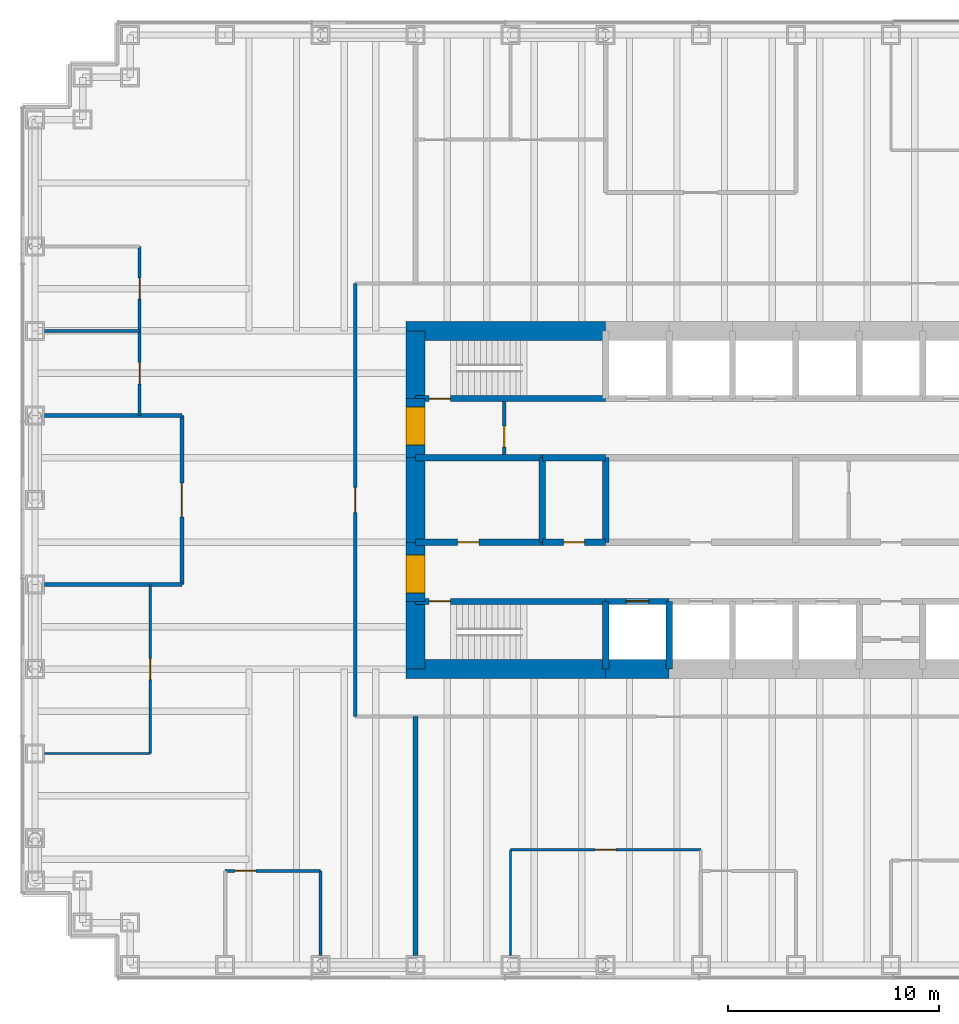
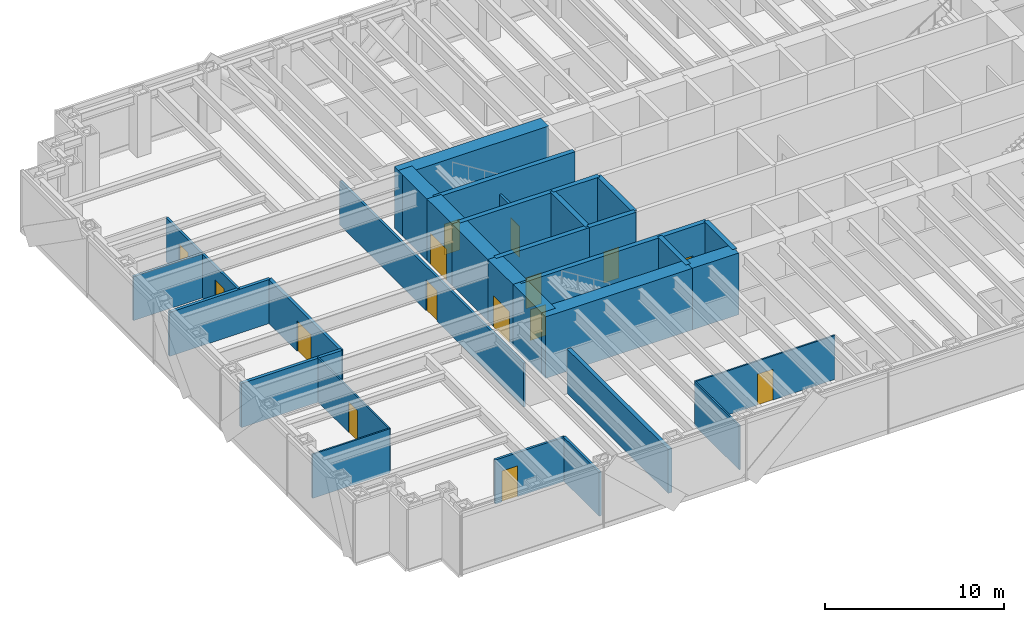
# One storey, part 11 of 15: 33 walls, 15 doors, 15 openings.
"""IFC4 building model written with IfcOpenShell, lengths in metres."""

import ifcopenshell
import ifcopenshell.guid

model = None  # the IFC model being written
_history = None  # IfcOwnerHistory: only IFC2X3 demands one
_inside = {}  # id of a spatial element -> (the spatial element, [elements in it])
_under = {}  # id of a project, library or spatial element -> (it, [spatial elements below it])
_declared = {}  # id of a project -> (the project, [libraries it declares])
_typed = {}  # id of a type object -> (the type object, [elements of that type])
_made_of = {}  # id of a material, layer set ... -> (it, [elements and type objects made of it])


def new_model(schema):
    """Start an empty IFC model of exactly this schema.

    Asked for "IFC4X3", IfcOpenShell would pick the latest addendum, in which some entities
    have other attributes; the version numbers below select the first issue.
    IFC2X3 requires an IfcOwnerHistory on every rooted entity: one is made here for all.
    """
    global model, _history
    if schema == "IFC4X3":
        model = ifcopenshell.file(schema_version=(4, 3, 0, 0))
    else:
        model = ifcopenshell.file(schema=schema)
    _inside.clear()
    _under.clear()
    _declared.clear()
    _typed.clear()
    _made_of.clear()
    _history = None
    if model.schema == "IFC2X3":
        org = make("IfcOrganization", Name="unknown")
        user = make(
            "IfcPersonAndOrganization",
            ThePerson=make("IfcPerson", FamilyName="unknown"),
            TheOrganization=org,
        )
        app = make(
            "IfcApplication",
            ApplicationDeveloper=org,
            Version="unknown",
            ApplicationFullName="unknown",
            ApplicationIdentifier="unknown",
        )
        _history = make(
            "IfcOwnerHistory",
            OwningUser=user,
            OwningApplication=app,
            ChangeAction="ADDED",
            CreationDate=0,
        )
    return model


def make(cls, **values):
    """One entity of the class cls with the attributes given. An attribute that is None is left unset."""
    return model.create_entity(
        cls, **{name: value for name, value in values.items() if value is not None}
    )


def rooted(cls, **values):
    """An entity with a GlobalId (a new one), such as an element, a storey or a relation."""
    return make(cls, GlobalId=ifcopenshell.guid.new(), OwnerHistory=_history, **values)


def si_unit(unit_type, name, prefix=None):
    """IfcSIUnit, for example si_unit("LENGTHUNIT", "METRE", prefix="MILLI")."""
    return make("IfcSIUnit", UnitType=unit_type, Prefix=prefix, Name=name)


def assignment(units):
    """IfcUnitAssignment: the units of a project."""
    return None if units is None else make("IfcUnitAssignment", Units=units)


def point(xyz):
    """IfcCartesianPoint."""
    return None if xyz is None else make("IfcCartesianPoint", Coordinates=xyz)


def direction(xyz):
    """IfcDirection."""
    return None if xyz is None else make("IfcDirection", DirectionRatios=xyz)


def frame(location, z_axis=None, x_axis=None):
    """IfcAxis2Placement3D, a coordinate frame: its origin and axes. An axis left out is left unset."""
    return make(
        "IfcAxis2Placement3D",
        Location=point(location),
        Axis=direction(z_axis),
        RefDirection=direction(x_axis),
    )


def frame_2d(location, x_axis=None):
    """IfcAxis2Placement2D, a coordinate frame in the plane: its origin and x axis."""
    return make(
        "IfcAxis2Placement2D", Location=point(location), RefDirection=direction(x_axis)
    )


def origin():
    """The frame at (0, 0, 0) with its axes left unset."""
    return frame((0.0, 0.0, 0.0))


def place(relative_to, where):
    """IfcLocalPlacement: puts the frame where relative to a parent placement (None: the world)."""
    return make(
        "IfcLocalPlacement", PlacementRelTo=relative_to, RelativePlacement=where
    )


def context(
    kind, dimensions, precision=None, world=None, true_north=None, identifier=None
):
    """IfcGeometricRepresentationContext, for example the 3D "Model" context."""
    return make(
        "IfcGeometricRepresentationContext",
        ContextIdentifier=identifier,
        ContextType=kind,
        CoordinateSpaceDimension=dimensions,
        Precision=precision,
        WorldCoordinateSystem=world,
        TrueNorth=true_north,
    )


def subcontext(parent, identifier, kind, view, scale=None):
    """IfcGeometricRepresentationSubContext, for example "Body" below "Model"."""
    return make(
        "IfcGeometricRepresentationSubContext",
        ContextIdentifier=identifier,
        ContextType=kind,
        ParentContext=parent,
        TargetScale=scale,
        TargetView=view,
    )


def project(units=None, contexts=None):
    """IfcProject with its units and contexts."""
    return rooted(
        "IfcProject",
        Name="project",
        RepresentationContexts=contexts,
        UnitsInContext=assignment(units),
    )


def spatial(cls, under=None, at=None, **own):
    """A site, building, storey or space (cls), placed at a placement, below another one or the project."""
    s = rooted(cls, ObjectPlacement=at, **own)
    if under is not None:
        _under.setdefault(under.id(), (under, []))[1].append(s)
    return s


def profile(cls, at=None, kind="AREA", **sizes):
    """A parametric profile (cls). Its sizes go by their IFC names, for example OverallWidth=200.0."""
    return make(cls, ProfileType=kind, Position=at, **sizes)


def rectangle(**sizes):
    """IfcRectangleProfileDef."""
    return profile("IfcRectangleProfileDef", **sizes)


def extrude(swept, where, along, depth):
    """IfcExtrudedAreaSolid: the profile swept, set in the frame where, extruded along a direction by depth."""
    return make(
        "IfcExtrudedAreaSolid",
        SweptArea=swept,
        Position=where,
        ExtrudedDirection=direction(along),
        Depth=depth,
    )


def shape(context_of_items, identifier, shape_type, items):
    """IfcShapeRepresentation: the items that make up one representation, for example the "Body"."""
    return make(
        "IfcShapeRepresentation",
        ContextOfItems=context_of_items,
        RepresentationIdentifier=identifier,
        RepresentationType=shape_type,
        Items=items,
    )


def material(Name=None, Category=None):
    """IfcMaterial."""
    return make("IfcMaterial", Name=Name, Category=Category)


def layer(
    of_material, thickness, ventilated=None, Name=None, Category=None, Priority=None
):
    """IfcMaterialLayer: one layer of a wall or slab, of a material (None: an air gap)."""
    return make(
        "IfcMaterialLayer",
        Material=of_material,
        LayerThickness=thickness,
        IsVentilated=ventilated,
        Name=Name,
        Category=Category,
        Priority=Priority,
    )


def layer_set(layers, Name=None):
    """IfcMaterialLayerSet."""
    return make("IfcMaterialLayerSet", MaterialLayers=layers, LayerSetName=Name)


def made_of(thing, what):
    """Note that an element or type object is made of a material, layer set ...; save() writes the relation."""
    if what is not None:
        _made_of.setdefault(what.id(), (what, []))[1].append(thing)
    return thing


def type_object(cls, material=None, **own):
    """A type object (cls), such as IfcWallType, which elements share."""
    return made_of(rooted(cls, **own), material)


def element(
    cls,
    number,
    at=None,
    inside=None,
    cuts=None,
    type_object=None,
    material=None,
    context=None,
    identifier="Body",
    shape_type=None,
    held_by="IfcProductDefinitionShape",
    body=None,
    shapes=None,
    **own,
):
    """One element of the class cls, such as IfcWall. Its Tag is "e" and its number.

    at: its placement. inside: the storey or other place that contains it. cuts: it is an
    opening in that element (IfcRelVoidsElement). A single representation is given by context,
    identifier, shape_type and body (its items); several are given by shapes. held_by: the class
    of the entity that holds the representations. save() writes the other relations.
    """
    e = rooted(cls, Tag="e%d" % number, ObjectPlacement=at, **own)
    if body is not None:
        shapes = [shape(context, identifier, shape_type, body)]
    if shapes is not None:
        e.Representation = make(held_by, Representations=shapes)
    if inside is not None:
        _inside.setdefault(inside.id(), (inside, []))[1].append(e)
    if cuts is not None:
        rooted(
            "IfcRelVoidsElement", RelatingBuildingElement=cuts, RelatedOpeningElement=e
        )
    if type_object is not None:
        _typed.setdefault(type_object.id(), (type_object, []))[1].append(e)
    return made_of(e, material)


def fill(opening, filler):
    """IfcRelFillsElement: the door or window that sits in an opening."""
    return rooted(
        "IfcRelFillsElement",
        RelatingOpeningElement=opening,
        RelatedBuildingElement=filler,
    )


def aggregate(whole, parts):
    """IfcRelAggregates: a whole, such as a stair, and the parts it consists of."""
    return rooted("IfcRelAggregates", RelatingObject=whole, RelatedObjects=parts)


def save(model, path):
    """Write the relations noted so far, then the file.

    IfcRelAggregates (storeys below a building ...), IfcRelContainedInSpatialStructure (elements
    in a storey), IfcRelDefinesByType, IfcRelAssociatesMaterial and IfcRelDeclares: one each for
    every whole, place, type object, material and project.
    """
    for whole, parts in _under.values():
        aggregate(whole, parts)
    for where, things in _inside.values():
        rooted(
            "IfcRelContainedInSpatialStructure",
            RelatedElements=things,
            RelatingStructure=where,
        )
    for kind, things in _typed.values():
        rooted("IfcRelDefinesByType", RelatedObjects=things, RelatingType=kind)
    for what, things in _made_of.values():
        rooted("IfcRelAssociatesMaterial", RelatedObjects=things, RelatingMaterial=what)
    for by, libraries in _declared.values():
        rooted("IfcRelDeclares", RelatingContext=by, RelatedDefinitions=libraries)
    model.write(path)


model = new_model("IFC4")

# Units and contexts
model_context = context("Model", 3, precision=1e-05, world=origin(), true_north=direction((0.0, 1.0)))
body_context = subcontext(model_context, "Body", "Model", "MODEL_VIEW")
ifc_project = project(units=[si_unit("LENGTHUNIT", "METRE"), si_unit("AREAUNIT", "SQUARE_METRE"), si_unit("VOLUMEUNIT", "CUBIC_METRE"), si_unit("PLANEANGLEUNIT", "RADIAN"), si_unit("MASSUNIT", "GRAM", prefix="KILO")], contexts=[model_context])

# Site, building, storey
site_placement = place(None, origin())
site = spatial("IfcSite", under=ifc_project, at=site_placement, CompositionType="ELEMENT")
building_placement = place(site_placement, origin())
building = spatial("IfcBuilding", under=site, at=building_placement, Name="Rheinbord Bourse Tower", CompositionType="ELEMENT")
storey_placement = place(building_placement, frame((0.0, 0.0, 142.5)))
storey = spatial("IfcBuildingStorey", under=building, at=storey_placement, Name="L31", CompositionType="ELEMENT", Elevation=142.5)

# Walls
ifc_material_1 = material(Name="Acoustic gypsum board partition", Category="gypsum board")
ifc_layer_1 = layer(ifc_material_1, 0.199951171875)
ifc_layer_set_1 = layer_set([ifc_layer_1], Name="ACOUSTIC PARTITION 200")
wall_type_1 = type_object("IfcWallType", Name="ACOUSTIC PARTITION 200", PredefinedType="PARTITIONING", material=ifc_layer_set_1)
for number, where, z_axis, x_axis, name in (
    (1, (0.449951171875, 20.0, 0.0), (0.0, 0.0, 1.0), (1.0, 0.0, 0.0), "Partition L31-09"),
    (2, (0.449951171875, 28.0, 0.0), (0.0, 0.0, 1.0), (1.0, 0.0, 0.0), "Partition L31-11"),
):
    element("IfcWall", number, at=place(storey_placement, frame(where, z_axis=z_axis, x_axis=x_axis)), inside=storey, type_object=wall_type_1, Name=name, PredefinedType="PARTITIONING", context=body_context, shape_type="SweptSolid", body=[
        extrude(rectangle(XDim=6.5, YDim=0.199951171875, at=frame_2d((3.25, 0.0))), origin(), (0.0, 0.0, 1.0), 3.0),
    ])

# Wall, opening, door
wall_1_placement = place(storey_placement, frame((6.949951171875, 20.0, 0.0), z_axis=(0.0, 0.0, 1.0), x_axis=(0.0, 1.0, 0.0)))
wall_1 = element("IfcWall", 3, at=wall_1_placement, inside=storey, type_object=wall_type_1, Name="Partition L31-25", PredefinedType="PARTITIONING", context=body_context, shape_type="SweptSolid", body=[
    extrude(rectangle(XDim=8.0, YDim=0.199951171875, at=frame_2d((4.0, 0.0))), origin(), (0.0, 0.0, 1.0), 3.0),
])
opening_1_placement = place(wall_1_placement, frame((3.199951171875, 0.0, 0.0)))
opening_1 = element("IfcOpeningElement", 4, at=opening_1_placement, cuts=wall_1, Name="Opening 31D10", PredefinedType="OPENING", context=body_context, shape_type="SweptSolid", body=[
    extrude(rectangle(XDim=1.60009765625, YDim=2.10009765625, at=frame_2d((0.800048828125, 1.050048828125))), frame((0.0, 0.10986328125, 0.0), z_axis=(0.0, -1.0, 0.0), x_axis=(1.0, 0.0, 0.0)), (0.0, 0.0, 1.0), 0.219970703125),
])
ifc_material_2 = material(Name="Timber door", Category="wood")
door_type_1 = type_object("IfcDoorType", Name="DOUBLE ROOM DOOR 1600", OperationType="DOUBLE_DOOR_DOUBLE_SWING", PredefinedType="DOOR", material=ifc_material_2)
door_1_placement = place(opening_1_placement, origin())
door_1 = element("IfcDoor", 5, at=door_1_placement, inside=storey, type_object=door_type_1, Name="Suite boardroom door L31", OperationType="SINGLE_SWING_LEFT", OverallHeight=2.10009765625, OverallWidth=1.60009765625, PredefinedType="DOOR", context=body_context, shape_type="SweptSolid", body=[
    extrude(rectangle(XDim=1.60009765625, YDim=2.10009765625, at=frame_2d((0.800048828125, 1.050048828125))), frame((0.0, 0.02490234375, 0.0), z_axis=(0.0, -1.0, 0.0), x_axis=(1.0, 0.0, 0.0)), (0.0, 0.0, 1.0), 0.050048828125),
])
fill(opening_1, door_1)

ifc_material_3 = material(Name="Concrete C50/60", Category="concrete")
ifc_layer_2 = layer(ifc_material_3, 0.300048828125)
ifc_layer_set_2 = layer_set([ifc_layer_2], Name="CORE INNER WALL 300")
wall_type_2 = type_object("IfcWallType", Name="CORE INNER WALL 300", PredefinedType="SOLIDWALL", material=ifc_layer_set_2)
wall_2_placement = place(storey_placement, frame((18.0, 19.199951171875, 0.0), z_axis=(0.0, 0.0, 1.0), x_axis=(1.0, 0.0, 0.0)))
wall_2 = element("IfcWall", 6, at=wall_2_placement, inside=storey, type_object=wall_type_2, Name="Core wall A1 L31", PredefinedType="SOLIDWALL", context=body_context, shape_type="SweptSolid", body=[
    extrude(rectangle(XDim=9.0, YDim=0.300048828125, at=frame_2d((4.5, 0.0))), origin(), (0.0, 0.0, 1.0), 4.199951171875),
])
opening_2_placement = place(wall_2_placement, frame((0.64990234375, 0.0, 0.0)))
opening_2 = element("IfcOpeningElement", 7, at=opening_2_placement, cuts=wall_2, Name="Opening 3110", PredefinedType="OPENING", context=body_context, shape_type="SweptSolid", body=[
    extrude(rectangle(XDim=1.0, YDim=2.10009765625, at=frame_2d((0.5, 1.050048828125))), frame((0.0, 0.159912109375, 0.0), z_axis=(0.0, -1.0, 0.0), x_axis=(1.0, 0.0, 0.0)), (0.0, 0.0, 1.0), 0.320068359375),
])
ifc_material_4 = material(Name="Steel door", Category="steel")
door_type_2 = type_object("IfcDoorType", Name="DOOR 1000 EI30", OperationType="SINGLE_SWING_LEFT", PredefinedType="DOOR", material=ifc_material_4)
door_2_placement = place(opening_2_placement, origin())
door_2 = element("IfcDoor", 8, at=door_2_placement, inside=storey, type_object=door_type_2, Name="Stair door ST1 L31", OperationType="SINGLE_SWING_LEFT", OverallHeight=2.10009765625, OverallWidth=1.0, PredefinedType="DOOR", context=body_context, shape_type="SweptSolid", body=[
    extrude(rectangle(XDim=1.0, YDim=2.10009765625, at=frame_2d((0.5, 1.050048828125))), frame((0.0, 0.02490234375, 0.0), z_axis=(0.0, -1.0, 0.0), x_axis=(1.0, 0.0, 0.0)), (0.0, 0.0, 1.0), 0.050048828125),
])
fill(opening_2, door_2)

wall_3_placement = place(storey_placement, frame((27.0, 19.199951171875, 0.0), z_axis=(0.0, 0.0, 1.0), x_axis=(1.0, 0.0, 0.0)))
wall_3 = element("IfcWall", 9, at=wall_3_placement, inside=storey, type_object=wall_type_2, Name="Core wall A2 L31", PredefinedType="SOLIDWALL", context=body_context, shape_type="SweptSolid", body=[
    extrude(rectangle(XDim=3.0, YDim=0.300048828125, at=frame_2d((1.5, 0.0))), origin(), (0.0, 0.0, 1.0), 4.199951171875),
])
opening_3_placement = place(wall_3_placement, frame((0.949951171875, 0.0, 0.0)))
opening_3 = element("IfcOpeningElement", 10, at=opening_3_placement, cuts=wall_3, Name="Opening FL1", PredefinedType="OPENING", context=body_context, shape_type="SweptSolid", body=[
    extrude(rectangle(XDim=1.10009765625, YDim=2.199951171875, at=frame_2d((0.550048828125, 1.10009765625))), frame((0.0, 0.159912109375, 0.0), z_axis=(0.0, -1.0, 0.0), x_axis=(1.0, 0.0, 0.0)), (0.0, 0.0, 1.0), 0.320068359375),
])
ifc_material_5 = material(Name="Steel landing door", Category="steel")
door_type_3 = type_object("IfcDoorType", Name="LIFT LANDING DOOR 1100", OperationType="DOUBLE_DOOR_SLIDING", PredefinedType="USERDEFINED", material=ifc_material_5)
door_3_placement = place(opening_3_placement, origin())
door_3 = element("IfcDoor", 11, at=door_3_placement, inside=storey, type_object=door_type_3, Name="Lift landing door FL1 L31", ObjectType="LIFT LANDING DOOR", OperationType="DOUBLE_DOOR_SLIDING", OverallHeight=2.199951171875, OverallWidth=1.10009765625, PredefinedType="USERDEFINED", context=body_context, shape_type="SweptSolid", body=[
    extrude(rectangle(XDim=1.10009765625, YDim=2.199951171875, at=frame_2d((0.550048828125, 1.10009765625))), frame((0.0, 0.02490234375, 0.0), z_axis=(0.0, -1.0, 0.0), x_axis=(1.0, 0.0, 0.0)), (0.0, 0.0, 1.0), 0.050048828125),
])
fill(opening_3, door_3)

wall_4_placement = place(storey_placement, frame((18.0, 28.800048828125, 0.0), z_axis=(0.0, 0.0, 1.0), x_axis=(1.0, 0.0, 0.0)))
wall_4 = element("IfcWall", 12, at=wall_4_placement, inside=storey, type_object=wall_type_2, Name="Core wall B1 L31", PredefinedType="SOLIDWALL", context=body_context, shape_type="SweptSolid", body=[
    extrude(rectangle(XDim=9.0, YDim=0.300048828125, at=frame_2d((4.5, 0.0))), origin(), (0.0, 0.0, 1.0), 4.199951171875),
])
opening_4_placement = place(wall_4_placement, frame((0.64990234375, 0.0, 0.0)))
opening_4 = element("IfcOpeningElement", 13, at=opening_4_placement, cuts=wall_4, Name="Opening 3120", PredefinedType="OPENING", context=body_context, shape_type="SweptSolid", body=[
    extrude(rectangle(XDim=1.0, YDim=2.10009765625, at=frame_2d((0.5, 1.050048828125))), frame((0.0, 0.159912109375, 0.0), z_axis=(0.0, -1.0, 0.0), x_axis=(1.0, 0.0, 0.0)), (0.0, 0.0, 1.0), 0.320068359375),
])
door_4_placement = place(opening_4_placement, origin())
door_4 = element("IfcDoor", 14, at=door_4_placement, inside=storey, type_object=door_type_2, Name="Stair door ST2 L31", OperationType="SINGLE_SWING_LEFT", OverallHeight=2.10009765625, OverallWidth=1.0, PredefinedType="DOOR", context=body_context, shape_type="SweptSolid", body=[
    extrude(rectangle(XDim=1.0, YDim=2.10009765625, at=frame_2d((0.5, 1.050048828125))), frame((0.0, 0.02490234375, 0.0), z_axis=(0.0, -1.0, 0.0), x_axis=(1.0, 0.0, 0.0)), (0.0, 0.0, 1.0), 0.050048828125),
])
fill(opening_4, door_4)

wall_5_placement = place(storey_placement, frame((18.0, 22.0, 0.0), z_axis=(0.0, 0.0, 1.0), x_axis=(1.0, 0.0, 0.0)))
wall_5 = element("IfcWall", 15, at=wall_5_placement, inside=storey, type_object=wall_type_2, Name="Core wall C1 L31", PredefinedType="SOLIDWALL", context=body_context, shape_type="SweptSolid", body=[
    extrude(rectangle(XDim=6.0, YDim=0.300048828125, at=frame_2d((3.0, 0.0))), origin(), (0.0, 0.0, 1.0), 4.199951171875),
])
opening_5_placement = place(wall_5_placement, frame((2.0, 0.0, 0.0)))
opening_5 = element("IfcOpeningElement", 16, at=opening_5_placement, cuts=wall_5, Name="Opening 31R1", PredefinedType="OPENING", context=body_context, shape_type="SweptSolid", body=[
    extrude(rectangle(XDim=1.0, YDim=2.10009765625, at=frame_2d((0.5, 1.050048828125))), frame((0.0, 0.159912109375, 0.0), z_axis=(0.0, -1.0, 0.0), x_axis=(1.0, 0.0, 0.0)), (0.0, 0.0, 1.0), 0.320068359375),
])
ifc_material_6 = material(Name="Timber door", Category="wood")
door_type_4 = type_object("IfcDoorType", Name="DOOR 1000 WC", OperationType="SINGLE_SWING_LEFT", PredefinedType="DOOR", material=ifc_material_6)
door_5_placement = place(opening_5_placement, origin())
door_5 = element("IfcDoor", 17, at=door_5_placement, inside=storey, type_object=door_type_4, Name="WC men door L31", OperationType="SINGLE_SWING_LEFT", OverallHeight=2.10009765625, OverallWidth=1.0, PredefinedType="DOOR", context=body_context, shape_type="SweptSolid", body=[
    extrude(rectangle(XDim=1.0, YDim=2.10009765625, at=frame_2d((0.5, 1.050048828125))), frame((0.0, 0.02490234375, 0.0), z_axis=(0.0, -1.0, 0.0), x_axis=(1.0, 0.0, 0.0)), (0.0, 0.0, 1.0), 0.050048828125),
])
fill(opening_5, door_5)

wall_6_placement = place(storey_placement, frame((24.0, 22.0, 0.0), z_axis=(0.0, 0.0, 1.0), x_axis=(1.0, 0.0, 0.0)))
wall_6 = element("IfcWall", 18, at=wall_6_placement, inside=storey, type_object=wall_type_2, Name="Core wall C2 L31", PredefinedType="SOLIDWALL", context=body_context, shape_type="SweptSolid", body=[
    extrude(rectangle(XDim=3.0, YDim=0.300048828125, at=frame_2d((1.5, 0.0))), origin(), (0.0, 0.0, 1.0), 4.199951171875),
])
opening_6_placement = place(wall_6_placement, frame((1.0, 0.0, 0.0)))
opening_6 = element("IfcOpeningElement", 19, at=opening_6_placement, cuts=wall_6, Name="Opening 31R2", PredefinedType="OPENING", context=body_context, shape_type="SweptSolid", body=[
    extrude(rectangle(XDim=1.0, YDim=2.10009765625, at=frame_2d((0.5, 1.050048828125))), frame((0.0, 0.159912109375, 0.0), z_axis=(0.0, -1.0, 0.0), x_axis=(1.0, 0.0, 0.0)), (0.0, 0.0, 1.0), 0.320068359375),
])
door_6_placement = place(opening_6_placement, origin())
door_6 = element("IfcDoor", 20, at=door_6_placement, inside=storey, type_object=door_type_4, Name="Accessible WC door L31", OperationType="SINGLE_SWING_LEFT", OverallHeight=2.10009765625, OverallWidth=1.0, PredefinedType="DOOR", context=body_context, shape_type="SweptSolid", body=[
    extrude(rectangle(XDim=1.0, YDim=2.10009765625, at=frame_2d((0.5, 1.050048828125))), frame((0.0, 0.02490234375, 0.0), z_axis=(0.0, -1.0, 0.0), x_axis=(1.0, 0.0, 0.0)), (0.0, 0.0, 1.0), 0.050048828125),
])
fill(opening_6, door_6)

# Walls
wall_7_placement = place(storey_placement, frame((18.0, 26.0, 0.0), z_axis=(0.0, 0.0, 1.0), x_axis=(1.0, 0.0, 0.0)))
element("IfcWall", 21, at=wall_7_placement, inside=storey, type_object=wall_type_2, Name="Core wall D1 L31", PredefinedType="SOLIDWALL", context=body_context, shape_type="SweptSolid", body=[
    extrude(rectangle(XDim=6.0, YDim=0.300048828125, at=frame_2d((3.0, 0.0))), origin(), (0.0, 0.0, 1.0), 4.199951171875),
])
wall_8_placement = place(storey_placement, frame((24.0, 26.0, 0.0), z_axis=(0.0, 0.0, 1.0), x_axis=(1.0, 0.0, 0.0)))
element("IfcWall", 22, at=wall_8_placement, inside=storey, type_object=wall_type_2, Name="Core wall D2 L31", PredefinedType="SOLIDWALL", context=body_context, shape_type="SweptSolid", body=[
    extrude(rectangle(XDim=3.0, YDim=0.300048828125, at=frame_2d((1.5, 0.0))), origin(), (0.0, 0.0, 1.0), 4.199951171875),
])
for number, where, z_axis, x_axis, name in (
    (23, (27.0, 16.0, 0.0), (0.0, 0.0, 1.0), (0.0, 1.0, 0.0), "Core wall SX27 L31"),
    (24, (30.0, 16.0, 0.0), (0.0, 0.0, 1.0), (0.0, 1.0, 0.0), "Core wall SX30 L31"),
):
    element("IfcWall", number, at=place(storey_placement, frame(where, z_axis=z_axis, x_axis=x_axis)), inside=storey, type_object=wall_type_2, Name=name, PredefinedType="SOLIDWALL", context=body_context, shape_type="SweptSolid", body=[
        extrude(rectangle(XDim=3.199951171875, YDim=0.300048828125, at=frame_2d((1.60009765625, 0.0))), origin(), (0.0, 0.0, 1.0), 4.199951171875),
    ])
for number, where, z_axis, x_axis, name in (
    (25, (24.0, 22.0, 0.0), (0.0, 0.0, 1.0), (0.0, 1.0, 0.0), "Core wall MX24 L31"),
    (26, (27.0, 22.0, 0.0), (0.0, 0.0, 1.0), (0.0, 1.0, 0.0), "Core wall MX27 L31"),
):
    element("IfcWall", number, at=place(storey_placement, frame(where, z_axis=z_axis, x_axis=x_axis)), inside=storey, type_object=wall_type_2, Name=name, PredefinedType="SOLIDWALL", context=body_context, shape_type="SweptSolid", body=[
        extrude(rectangle(XDim=4.0, YDim=0.300048828125, at=frame_2d((2.0, 0.0))), origin(), (0.0, 0.0, 1.0), 4.199951171875),
    ])

# Wall, opening, door
ifc_material_7 = material(Name="Gypsum board fire partition", Category="gypsum board")
ifc_layer_3 = layer(ifc_material_7, 0.14990234375)
ifc_layer_set_3 = layer_set([ifc_layer_3], Name="CORE PARTITION 150 EI30")
wall_type_3 = type_object("IfcWallType", Name="CORE PARTITION 150 EI30", PredefinedType="PARTITIONING", material=ifc_layer_set_3)
wall_9_placement = place(storey_placement, frame((22.199951171875, 26.14990234375, 0.0), z_axis=(0.0, 0.0, 1.0), x_axis=(0.0, 1.0, 0.0)))
wall_9 = element("IfcWall", 27, at=wall_9_placement, inside=storey, type_object=wall_type_3, Name="Core partition L31-5", PredefinedType="PARTITIONING", context=body_context, shape_type="SweptSolid", body=[
    extrude(rectangle(XDim=2.5, YDim=0.14990234375, at=frame_2d((1.25, 0.0))), origin(), (0.0, 0.0, 1.0), 3.0),
])
opening_7_placement = place(wall_9_placement, frame((0.35009765625, 0.0, 0.0)))
opening_7 = element("IfcOpeningElement", 28, at=opening_7_placement, cuts=wall_9, Name="Opening 31L6", PredefinedType="OPENING", context=body_context, shape_type="SweptSolid", body=[
    extrude(rectangle(XDim=1.0, YDim=2.10009765625, at=frame_2d((0.5, 1.050048828125))), frame((0.0, 0.0849609375, 0.0), z_axis=(0.0, -1.0, 0.0), x_axis=(1.0, 0.0, 0.0)), (0.0, 0.0, 1.0), 0.169921875),
])
door_7_placement = place(opening_7_placement, origin())
door_7 = element("IfcDoor", 29, at=door_7_placement, inside=storey, type_object=door_type_2, Name="Stair lobby door L31", OperationType="SINGLE_SWING_LEFT", OverallHeight=2.10009765625, OverallWidth=1.0, PredefinedType="DOOR", context=body_context, shape_type="SweptSolid", body=[
    extrude(rectangle(XDim=1.0, YDim=2.10009765625, at=frame_2d((0.5, 1.050048828125))), frame((0.0, 0.02490234375, 0.0), z_axis=(0.0, -1.0, 0.0), x_axis=(1.0, 0.0, 0.0)), (0.0, 0.0, 1.0), 0.050048828125),
])
fill(opening_7, door_7)

# Walls
ifc_material_8 = material(Name="Concrete C50/60", Category="concrete")
ifc_layer_4 = layer(ifc_material_8, 0.89990234375)
ifc_layer_set_4 = layer_set([ifc_layer_4], Name="CORE WALL 900")
wall_type_4 = type_object("IfcWallType", Name="CORE WALL 900", PredefinedType="SHEAR", material=ifc_layer_set_4)
wall_10_placement = place(storey_placement, frame((17.550048828125, 16.0, 0.0), z_axis=(0.0, 0.0, 1.0), x_axis=(1.0, 0.0, 0.0)))
element("IfcWall", 30, at=wall_10_placement, inside=storey, type_object=wall_type_4, Name="Core wall S1 L31", PredefinedType="SHEAR", context=body_context, shape_type="SweptSolid", body=[
    extrude(rectangle(XDim=9.449951171875, YDim=0.89990234375, at=frame_2d((4.72509765625, 0.0))), origin(), (0.0, 0.0, 1.0), 4.199951171875),
])
wall_11_placement = place(storey_placement, frame((27.0, 16.0, 0.0), z_axis=(0.0, 0.0, 1.0), x_axis=(1.0, 0.0, 0.0)))
element("IfcWall", 31, at=wall_11_placement, inside=storey, type_object=wall_type_4, Name="Core wall S2 L31", PredefinedType="SHEAR", context=body_context, shape_type="SweptSolid", body=[
    extrude(rectangle(XDim=3.0, YDim=0.89990234375, at=frame_2d((1.5, 0.0))), origin(), (0.0, 0.0, 1.0), 4.199951171875),
])
wall_12_placement = place(storey_placement, frame((27.0, 32.0, 0.0), z_axis=(0.0, 0.0, 1.0), x_axis=(-1.0, 0.0, 0.0)))
element("IfcWall", 32, at=wall_12_placement, inside=storey, type_object=wall_type_4, Name="Core wall N8 L31", PredefinedType="SHEAR", context=body_context, shape_type="SweptSolid", body=[
    extrude(rectangle(XDim=9.449951171875, YDim=0.89990234375, at=frame_2d((4.72509765625, 0.0))), origin(), (0.0, 0.0, 1.0), 4.199951171875),
])
wall_13_placement = place(storey_placement, frame((18.0, 32.0, 0.0), z_axis=(0.0, 0.0, 1.0), x_axis=(0.0, -1.0, 0.0)))
element("IfcWall", 33, at=wall_13_placement, inside=storey, type_object=wall_type_4, Name="Core wall W1 L31", PredefinedType="SHEAR", context=body_context, shape_type="SweptSolid", body=[
    extrude(rectangle(XDim=3.199951171875, YDim=0.89990234375, at=frame_2d((1.60009765625, 0.0))), origin(), (0.0, 0.0, 1.0), 4.199951171875),
])

# Wall, opening, door
wall_14_placement = place(storey_placement, frame((18.0, 28.800048828125, 0.0), z_axis=(0.0, 0.0, 1.0), x_axis=(0.0, -1.0, 0.0)))
wall_14 = element("IfcWall", 34, at=wall_14_placement, inside=storey, type_object=wall_type_4, Name="Core wall W2 L31", PredefinedType="SHEAR", context=body_context, shape_type="SweptSolid", body=[
    extrude(rectangle(XDim=2.800048828125, YDim=0.89990234375, at=frame_2d((1.39990234375, 0.0))), origin(), (0.0, 0.0, 1.0), 4.199951171875),
])
opening_8_placement = place(wall_14_placement, frame((0.39990234375, 0.0, 0.0)))
opening_8 = element("IfcOpeningElement", 35, at=opening_8_placement, cuts=wall_14, Name="Opening 31L2", PredefinedType="OPENING", context=body_context, shape_type="SweptSolid", body=[
    extrude(rectangle(XDim=1.800048828125, YDim=2.10009765625, at=frame_2d((0.89990234375, 1.050048828125))), frame((0.0, 0.4599609375, 0.0), z_axis=(0.0, -1.0, 0.0), x_axis=(1.0, 0.0, 0.0)), (0.0, 0.0, 1.0), 0.919921875),
])
ifc_material_9 = material(Name="Steel door", Category="steel")
door_type_5 = type_object("IfcDoorType", Name="DOOR 1800 EI30 DOUBLE", OperationType="DOUBLE_DOOR_DOUBLE_SWING", PredefinedType="DOOR", material=ifc_material_9)
door_8_placement = place(opening_8_placement, origin())
door_8 = element("IfcDoor", 36, at=door_8_placement, inside=storey, type_object=door_type_5, Name="Lobby door 2 L31", OperationType="SINGLE_SWING_LEFT", OverallHeight=2.10009765625, OverallWidth=1.800048828125, PredefinedType="DOOR", context=body_context, shape_type="SweptSolid", body=[
    extrude(rectangle(XDim=1.800048828125, YDim=2.10009765625, at=frame_2d((0.89990234375, 1.050048828125))), frame((0.0, 0.44970703125, 0.0), z_axis=(0.0, -1.0, 0.0), x_axis=(1.0, 0.0, 0.0)), (0.0, 0.0, 1.0), 0.8994140625),
])
fill(opening_8, door_8)

# Wall
wall_15_placement = place(storey_placement, frame((18.0, 26.0, 0.0), z_axis=(0.0, 0.0, 1.0), x_axis=(0.0, -1.0, 0.0)))
element("IfcWall", 37, at=wall_15_placement, inside=storey, type_object=wall_type_4, Name="Core wall W3 L31", PredefinedType="SHEAR", context=body_context, shape_type="SweptSolid", body=[
    extrude(rectangle(XDim=4.0, YDim=0.89990234375, at=frame_2d((2.0, 0.0))), origin(), (0.0, 0.0, 1.0), 4.199951171875),
])

# Wall, opening, door
wall_16_placement = place(storey_placement, frame((18.0, 22.0, 0.0), z_axis=(0.0, 0.0, 1.0), x_axis=(0.0, -1.0, 0.0)))
wall_16 = element("IfcWall", 38, at=wall_16_placement, inside=storey, type_object=wall_type_4, Name="Core wall W4 L31", PredefinedType="SHEAR", context=body_context, shape_type="SweptSolid", body=[
    extrude(rectangle(XDim=2.800048828125, YDim=0.89990234375, at=frame_2d((1.39990234375, 0.0))), origin(), (0.0, 0.0, 1.0), 4.199951171875),
])
opening_9_placement = place(wall_16_placement, frame((0.60009765625, 0.0, 0.0)))
opening_9 = element("IfcOpeningElement", 39, at=opening_9_placement, cuts=wall_16, Name="Opening 31L1", PredefinedType="OPENING", context=body_context, shape_type="SweptSolid", body=[
    extrude(rectangle(XDim=1.800048828125, YDim=2.10009765625, at=frame_2d((0.89990234375, 1.050048828125))), frame((0.0, 0.4599609375, 0.0), z_axis=(0.0, -1.0, 0.0), x_axis=(1.0, 0.0, 0.0)), (0.0, 0.0, 1.0), 0.919921875),
])
door_9_placement = place(opening_9_placement, origin())
door_9 = element("IfcDoor", 40, at=door_9_placement, inside=storey, type_object=door_type_5, Name="Lobby door 1 L31", OperationType="SINGLE_SWING_LEFT", OverallHeight=2.10009765625, OverallWidth=1.800048828125, PredefinedType="DOOR", context=body_context, shape_type="SweptSolid", body=[
    extrude(rectangle(XDim=1.800048828125, YDim=2.10009765625, at=frame_2d((0.89990234375, 1.050048828125))), frame((0.0, 0.44970703125, 0.0), z_axis=(0.0, -1.0, 0.0), x_axis=(1.0, 0.0, 0.0)), (0.0, 0.0, 1.0), 0.8994140625),
])
fill(opening_9, door_9)

# Wall
wall_17_placement = place(storey_placement, frame((18.0, 19.199951171875, 0.0), z_axis=(0.0, 0.0, 1.0), x_axis=(0.0, -1.0, 0.0)))
element("IfcWall", 41, at=wall_17_placement, inside=storey, type_object=wall_type_4, Name="Core wall W5 L31", PredefinedType="SHEAR", context=body_context, shape_type="SweptSolid", body=[
    extrude(rectangle(XDim=3.199951171875, YDim=0.89990234375, at=frame_2d((1.60009765625, 0.0))), origin(), (0.0, 0.0, 1.0), 4.199951171875),
])

# Wall, opening, door
ifc_material_10 = material(Name="Gypsum board corridor partition", Category="gypsum board")
ifc_layer_5 = layer(ifc_material_10, 0.14990234375)
ifc_layer_set_5 = layer_set([ifc_layer_5], Name="CORRIDOR PARTITION 150 EI30")
wall_type_5 = type_object("IfcWallType", Name="CORRIDOR PARTITION 150 EI30", PredefinedType="PARTITIONING", material=ifc_layer_set_5)
wall_18_placement = place(storey_placement, frame((15.14990234375, 13.75, 0.0), z_axis=(0.0, 0.0, 1.0), x_axis=(0.0, 1.0, 0.0)))
wall_18 = element("IfcWall", 42, at=wall_18_placement, inside=storey, type_object=wall_type_5, Name="Partition L31-28", PredefinedType="PARTITIONING", context=body_context, shape_type="SweptSolid", body=[
    extrude(rectangle(XDim=20.5, YDim=0.14990234375, at=frame_2d((10.25, 0.0))), origin(), (0.0, 0.0, 1.0), 3.0),
])
opening_10_placement = place(wall_18_placement, frame((9.64990234375, 0.0, 0.0)))
opening_10 = element("IfcOpeningElement", 43, at=opening_10_placement, cuts=wall_18, Name="Opening 31D22", PredefinedType="OPENING", context=body_context, shape_type="SweptSolid", body=[
    extrude(rectangle(XDim=1.199951171875, YDim=2.10009765625, at=frame_2d((0.60009765625, 1.050048828125))), frame((0.0, 0.0849609375, 0.0), z_axis=(0.0, -1.0, 0.0), x_axis=(1.0, 0.0, 0.0)), (0.0, 0.0, 1.0), 0.169921875),
])
ifc_material_11 = material(Name="Timber fire door", Category="wood")
door_type_6 = type_object("IfcDoorType", Name="SUITE ENTRANCE DOOR 1200 EI30", OperationType="SINGLE_SWING_LEFT", PredefinedType="DOOR", material=ifc_material_11)
door_10_placement = place(opening_10_placement, origin())
door_10 = element("IfcDoor", 44, at=door_10_placement, inside=storey, type_object=door_type_6, Name="Suite entrance 1 door L31", OperationType="SINGLE_SWING_LEFT", OverallHeight=2.10009765625, OverallWidth=1.199951171875, PredefinedType="DOOR", context=body_context, shape_type="SweptSolid", body=[
    extrude(rectangle(XDim=1.199951171875, YDim=2.10009765625, at=frame_2d((0.60009765625, 1.050048828125))), frame((0.0, 0.02490234375, 0.0), z_axis=(0.0, -1.0, 0.0), x_axis=(1.0, 0.0, 0.0)), (0.0, 0.0, 1.0), 0.050048828125),
])
fill(opening_10, door_10)

# Wall
ifc_material_12 = material(Name="Gypsum board tenancy wall", Category="gypsum board")
ifc_layer_6 = layer(ifc_material_12, 0.25)
ifc_layer_set_6 = layer_set([ifc_layer_6], Name="DEMISING PARTITION 250 EI60")
wall_type_6 = type_object("IfcWallType", Name="DEMISING PARTITION 250 EI60", PredefinedType="PARTITIONING", material=ifc_layer_set_6)
wall_19_placement = place(storey_placement, frame((18.0, 2.449951171875, 0.0), z_axis=(0.0, 0.0, 1.0), x_axis=(0.0, 1.0, 0.0)))
element("IfcWall", 45, at=wall_19_placement, inside=storey, type_object=wall_type_6, Name="Partition L31-29", PredefinedType="PARTITIONING", context=body_context, shape_type="SweptSolid", body=[
    extrude(rectangle(XDim=11.300048828125, YDim=0.25, at=frame_2d((5.64990234375, 0.0))), origin(), (0.0, 0.0, 1.0), 3.0),
])

# Wall, opening, door
ifc_material_13 = material(Name="Toughened laminated glass partition", Category="glass")
ifc_layer_7 = layer(ifc_material_13, 0.10009765625)
ifc_layer_set_7 = layer_set([ifc_layer_7], Name="GLAZED PARTITION 100")
wall_type_7 = type_object("IfcWallType", Name="GLAZED PARTITION 100", PredefinedType="PARTITIONING", material=ifc_layer_set_7)
wall_20_placement = place(storey_placement, frame((22.5, 7.449951171875, 0.0), z_axis=(0.0, 0.0, 1.0), x_axis=(1.0, 0.0, 0.0)))
wall_20 = element("IfcWall", 46, at=wall_20_placement, inside=storey, type_object=wall_type_7, Name="Partition L31-04", PredefinedType="PARTITIONING", context=body_context, shape_type="SweptSolid", body=[
    extrude(rectangle(XDim=9.0, YDim=0.10009765625, at=frame_2d((4.5, 0.0))), origin(), (0.0, 0.0, 1.0), 3.0),
])
opening_11_placement = place(wall_20_placement, frame((4.0, 0.0, 0.0)))
opening_11 = element("IfcOpeningElement", 47, at=opening_11_placement, cuts=wall_20, Name="Opening 31D06", PredefinedType="OPENING", context=body_context, shape_type="SweptSolid", body=[
    extrude(rectangle(XDim=1.0, YDim=2.10009765625, at=frame_2d((0.5, 1.050048828125))), frame((0.0, 0.06005859375, 0.0), z_axis=(0.0, -1.0, 0.0), x_axis=(1.0, 0.0, 0.0)), (0.0, 0.0, 1.0), 0.1201171875),
])
ifc_material_14 = material(Name="Timber door", Category="wood")
door_type_7 = type_object("IfcDoorType", Name="ROOM DOOR 1000", OperationType="SINGLE_SWING_LEFT", PredefinedType="DOOR", material=ifc_material_14)
door_11_placement = place(opening_11_placement, origin())
door_11 = element("IfcDoor", 48, at=door_11_placement, inside=storey, type_object=door_type_7, Name="Meeting room door L31", OperationType="SINGLE_SWING_LEFT", OverallHeight=2.10009765625, OverallWidth=1.0, PredefinedType="DOOR", context=body_context, shape_type="SweptSolid", body=[
    extrude(rectangle(XDim=1.0, YDim=2.10009765625, at=frame_2d((0.5, 1.050048828125))), frame((0.0, 0.02490234375, 0.0), z_axis=(0.0, -1.0, 0.0), x_axis=(1.0, 0.0, 0.0)), (0.0, 0.0, 1.0), 0.050048828125),
])
fill(opening_11, door_11)

# Wall
wall_21_placement = place(storey_placement, frame((0.449951171875, 12.0, 0.0), z_axis=(0.0, 0.0, 1.0), x_axis=(1.0, 0.0, 0.0)))
element("IfcWall", 49, at=wall_21_placement, inside=storey, type_object=wall_type_7, Name="Partition L31-06", PredefinedType="PARTITIONING", context=body_context, shape_type="SweptSolid", body=[
    extrude(rectangle(XDim=5.0, YDim=0.10009765625, at=frame_2d((2.5, 0.0))), origin(), (0.0, 0.0, 1.0), 3.0),
])

# Wall, opening, door
wall_22_placement = place(storey_placement, frame((5.449951171875, 12.0, 0.0), z_axis=(0.0, 0.0, 1.0), x_axis=(0.0, 1.0, 0.0)))
wall_22 = element("IfcWall", 50, at=wall_22_placement, inside=storey, type_object=wall_type_7, Name="Partition L31-24", PredefinedType="PARTITIONING", context=body_context, shape_type="SweptSolid", body=[
    extrude(rectangle(XDim=8.0, YDim=0.10009765625, at=frame_2d((4.0, 0.0))), origin(), (0.0, 0.0, 1.0), 3.0),
])
opening_12_placement = place(wall_22_placement, frame((3.5, 0.0, 0.0)))
opening_12 = element("IfcOpeningElement", 51, at=opening_12_placement, cuts=wall_22, Name="Opening 31D09", PredefinedType="OPENING", context=body_context, shape_type="SweptSolid", body=[
    extrude(rectangle(XDim=1.0, YDim=2.10009765625, at=frame_2d((0.5, 1.050048828125))), frame((0.0, 0.06005859375, 0.0), z_axis=(0.0, -1.0, 0.0), x_axis=(1.0, 0.0, 0.0)), (0.0, 0.0, 1.0), 0.1201171875),
])
door_12_placement = place(opening_12_placement, origin())
door_12 = element("IfcDoor", 52, at=door_12_placement, inside=storey, type_object=door_type_7, Name="Meeting room door L31", OperationType="SINGLE_SWING_LEFT", OverallHeight=2.10009765625, OverallWidth=1.0, PredefinedType="DOOR", context=body_context, shape_type="SweptSolid", body=[
    extrude(rectangle(XDim=1.0, YDim=2.10009765625, at=frame_2d((0.5, 1.050048828125))), frame((0.0, 0.02490234375, 0.0), z_axis=(0.0, -1.0, 0.0), x_axis=(1.0, 0.0, 0.0)), (0.0, 0.0, 1.0), 0.050048828125),
])
fill(opening_12, door_12)

# Wall
wall_23_placement = place(storey_placement, frame((22.5, 2.449951171875, 0.0), z_axis=(0.0, 0.0, 1.0), x_axis=(0.0, 1.0, 0.0)))
element("IfcWall", 53, at=wall_23_placement, inside=storey, type_object=wall_type_7, Name="Partition L31-31", PredefinedType="PARTITIONING", context=body_context, shape_type="SweptSolid", body=[
    extrude(rectangle(XDim=5.0, YDim=0.10009765625, at=frame_2d((2.5, 0.0))), origin(), (0.0, 0.0, 1.0), 3.0),
])

# Wall, opening, door
ifc_material_15 = material(Name="Gypsum board partition", Category="gypsum board")
ifc_layer_8 = layer(ifc_material_15, 0.14990234375)
ifc_layer_set_8 = layer_set([ifc_layer_8], Name="PARTITION 150")
wall_type_8 = type_object("IfcWallType", Name="PARTITION 150", PredefinedType="PARTITIONING", material=ifc_layer_set_8)
wall_24_placement = place(storey_placement, frame((9.0, 6.449951171875, 0.0), z_axis=(0.0, 0.0, 1.0), x_axis=(1.0, 0.0, 0.0)))
wall_24 = element("IfcWall", 54, at=wall_24_placement, inside=storey, type_object=wall_type_8, Name="Partition L31-01", PredefinedType="PARTITIONING", context=body_context, shape_type="SweptSolid", body=[
    extrude(rectangle(XDim=4.5, YDim=0.14990234375, at=frame_2d((2.25, 0.0))), origin(), (0.0, 0.0, 1.0), 3.0),
])
opening_13_placement = place(wall_24_placement, frame((0.449951171875, 0.0, 0.0)))
opening_13 = element("IfcOpeningElement", 55, at=opening_13_placement, cuts=wall_24, Name="Opening 31D01", PredefinedType="OPENING", context=body_context, shape_type="SweptSolid", body=[
    extrude(rectangle(XDim=1.0, YDim=2.10009765625, at=frame_2d((0.5, 1.050048828125))), frame((0.0, 0.0849609375, 0.0), z_axis=(0.0, -1.0, 0.0), x_axis=(1.0, 0.0, 0.0)), (0.0, 0.0, 1.0), 0.169921875),
])
door_13_placement = place(opening_13_placement, origin())
door_13 = element("IfcDoor", 56, at=door_13_placement, inside=storey, type_object=door_type_7, Name="Kitchenette door L31", OperationType="SINGLE_SWING_LEFT", OverallHeight=2.10009765625, OverallWidth=1.0, PredefinedType="DOOR", context=body_context, shape_type="SweptSolid", body=[
    extrude(rectangle(XDim=1.0, YDim=2.10009765625, at=frame_2d((0.5, 1.050048828125))), frame((0.0, 0.02490234375, 0.0), z_axis=(0.0, -1.0, 0.0), x_axis=(1.0, 0.0, 0.0)), (0.0, 0.0, 1.0), 0.050048828125),
])
fill(opening_13, door_13)

# Wall
wall_25_placement = place(storey_placement, frame((0.449951171875, 32.0, 0.0), z_axis=(0.0, 0.0, 1.0), x_axis=(1.0, 0.0, 0.0)))
element("IfcWall", 57, at=wall_25_placement, inside=storey, type_object=wall_type_8, Name="Partition L31-13", PredefinedType="PARTITIONING", context=body_context, shape_type="SweptSolid", body=[
    extrude(rectangle(XDim=4.5, YDim=0.14990234375, at=frame_2d((2.25, 0.0))), origin(), (0.0, 0.0, 1.0), 3.0),
])

# Wall, openings, doors
wall_26_placement = place(storey_placement, frame((4.949951171875, 28.0, 0.0), z_axis=(0.0, 0.0, 1.0), x_axis=(0.0, 1.0, 0.0)))
wall_26 = element("IfcWall", 58, at=wall_26_placement, inside=storey, type_object=wall_type_8, Name="Partition L31-23", PredefinedType="PARTITIONING", context=body_context, shape_type="SweptSolid", body=[
    extrude(rectangle(XDim=8.0, YDim=0.14990234375, at=frame_2d((4.0, 0.0))), origin(), (0.0, 0.0, 1.0), 3.0),
])
opening_14_placement = place(wall_26_placement, frame((1.5, 0.0, 0.0)))
opening_14 = element("IfcOpeningElement", 59, at=opening_14_placement, cuts=wall_26, Name="Opening 31D12", PredefinedType="OPENING", context=body_context, shape_type="SweptSolid", body=[
    extrude(rectangle(XDim=1.0, YDim=2.10009765625, at=frame_2d((0.5, 1.050048828125))), frame((0.0, 0.0849609375, 0.0), z_axis=(0.0, -1.0, 0.0), x_axis=(1.0, 0.0, 0.0)), (0.0, 0.0, 1.0), 0.169921875),
])
opening_15_placement = place(wall_26_placement, frame((5.5, 0.0, 0.0)))
opening_15 = element("IfcOpeningElement", 60, at=opening_15_placement, cuts=wall_26, Name="Opening 31D14", PredefinedType="OPENING", context=body_context, shape_type="SweptSolid", body=[
    extrude(rectangle(XDim=1.0, YDim=2.10009765625, at=frame_2d((0.5, 1.050048828125))), frame((0.0, 0.0849609375, 0.0), z_axis=(0.0, -1.0, 0.0), x_axis=(1.0, 0.0, 0.0)), (0.0, 0.0, 1.0), 0.169921875),
])
door_14_placement = place(opening_14_placement, origin())
door_14 = element("IfcDoor", 61, at=door_14_placement, inside=storey, type_object=door_type_7, Name="Office door L31", OperationType="SINGLE_SWING_LEFT", OverallHeight=2.10009765625, OverallWidth=1.0, PredefinedType="DOOR", context=body_context, shape_type="SweptSolid", body=[
    extrude(rectangle(XDim=1.0, YDim=2.10009765625, at=frame_2d((0.5, 1.050048828125))), frame((0.0, 0.02490234375, 0.0), z_axis=(0.0, -1.0, 0.0), x_axis=(1.0, 0.0, 0.0)), (0.0, 0.0, 1.0), 0.050048828125),
])
fill(opening_14, door_14)
door_15_placement = place(opening_15_placement, origin())
door_15 = element("IfcDoor", 62, at=door_15_placement, inside=storey, type_object=door_type_7, Name="Office door L31", OperationType="SINGLE_SWING_RIGHT", OverallHeight=2.10009765625, OverallWidth=1.0, PredefinedType="DOOR", context=body_context, shape_type="SweptSolid", body=[
    extrude(rectangle(XDim=1.0, YDim=2.10009765625, at=frame_2d((0.5, 1.050048828125))), frame((0.0, 0.02490234375, 0.0), z_axis=(0.0, -1.0, 0.0), x_axis=(1.0, 0.0, 0.0)), (0.0, 0.0, 1.0), 0.050048828125),
])
fill(opening_15, door_15)

# Wall
wall_27_placement = place(storey_placement, frame((13.5, 2.449951171875, 0.0), z_axis=(0.0, 0.0, 1.0), x_axis=(0.0, 1.0, 0.0)))
element("IfcWall", 63, at=wall_27_placement, inside=storey, type_object=wall_type_8, Name="Partition L31-27", PredefinedType="PARTITIONING", context=body_context, shape_type="SweptSolid", body=[
    extrude(rectangle(XDim=4.0, YDim=0.14990234375, at=frame_2d((2.0, 0.0))), origin(), (0.0, 0.0, 1.0), 3.0),
])

save(model, "model.ifc")
